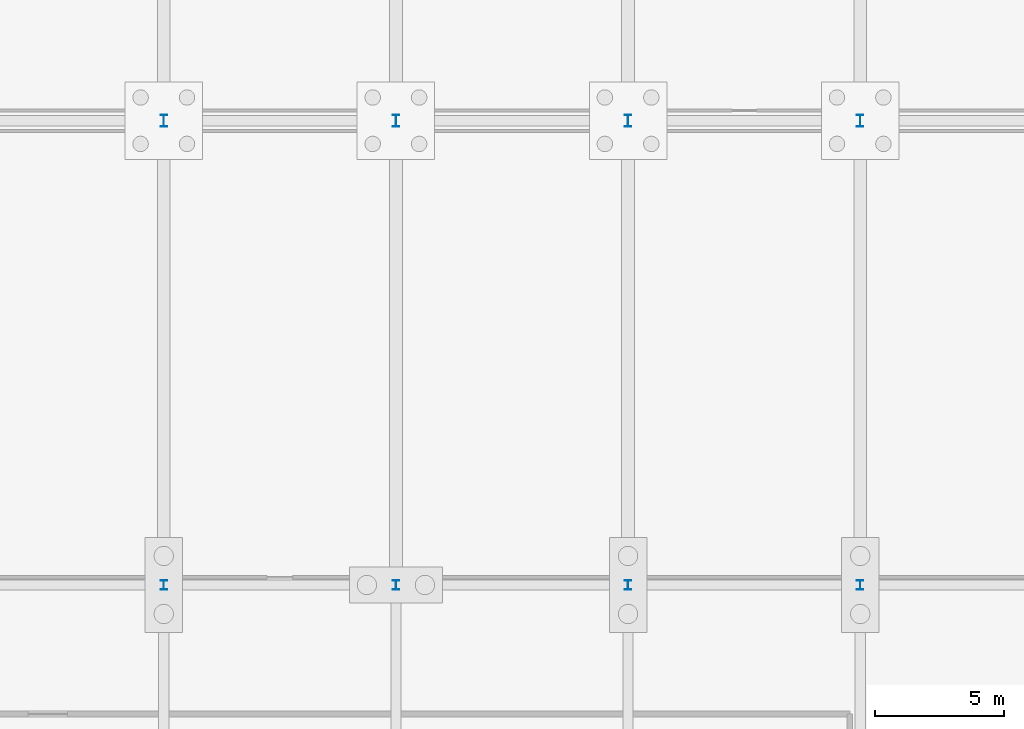
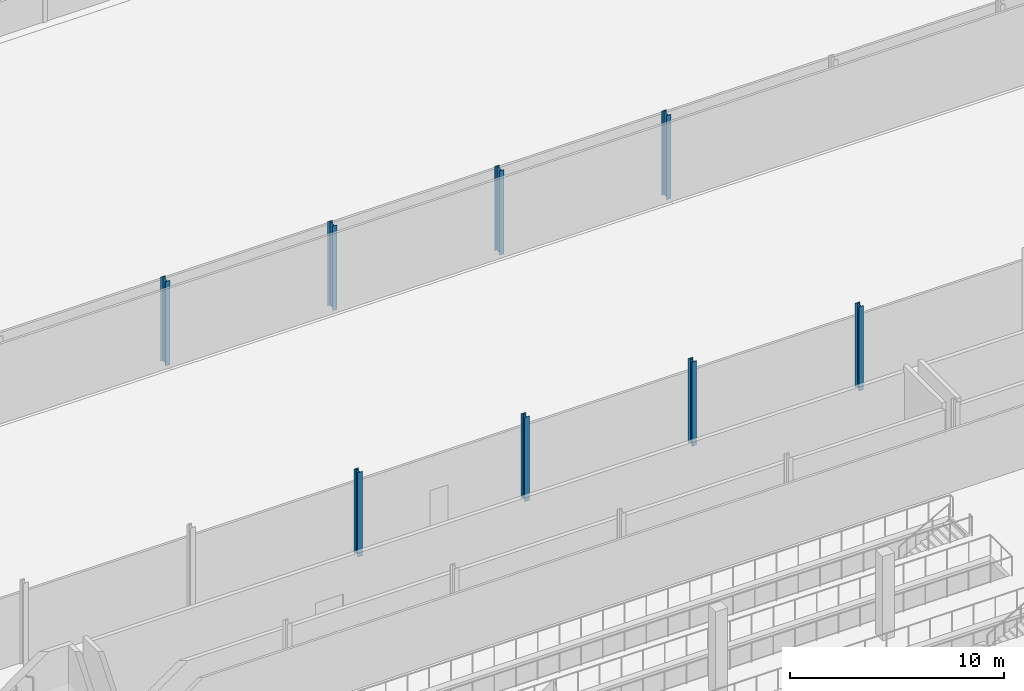
# One storey, part 24 of 112: 8 columns.
"""IFC4 building model written with IfcOpenShell, lengths in metres."""

from ifc_helpers import new_model, si_unit, direction, frame, origin, origin_2d, place, context, subcontext, project, spatial, i_section, extrude, material, material_profile, profile_set, type_object, element, save


model = new_model("IFC4")

# Units and contexts
model_context = context("Model", 3, precision=1e-05, world=origin(), true_north=direction((0.0, 1.0)))
body_context = subcontext(model_context, "Body", "Model", "MODEL_VIEW")
ifc_project = project(units=[si_unit("LENGTHUNIT", "METRE"), si_unit("AREAUNIT", "SQUARE_METRE"), si_unit("VOLUMEUNIT", "CUBIC_METRE"), si_unit("PLANEANGLEUNIT", "RADIAN"), si_unit("MASSUNIT", "GRAM", prefix="KILO")], contexts=[model_context])

# Site, building, storey
site_placement = place(None, origin())
site = spatial("IfcSite", under=ifc_project, at=site_placement, CompositionType="ELEMENT")
building_placement = place(site_placement, origin())
building = spatial("IfcBuilding", under=site, at=building_placement, Name="Tharagai Park Tramway Depot", CompositionType="ELEMENT")
storey_placement = place(building_placement, origin())
storey = spatial("IfcBuildingStorey", under=building, at=storey_placement, Name="L00", CompositionType="ELEMENT", Elevation=0.0)

# Columns
ifc_material = material(Name="Steel E350", Category="steel")
ifc_material_profile_1 = material_profile(ifc_material, i_section(OverallWidth=0.25, OverallDepth=0.449951171875, WebThickness=0.01123046875, FlangeThickness=0.013671875, FilletRadius=0.014892578125, at=origin_2d()), Name="ISHB 450")
ifc_profile_set_1 = profile_set([ifc_material_profile_1], Name="Steel E350")
column_type_1 = type_object("IfcColumnType", Name="CL-01", PredefinedType="COLUMN", material=ifc_profile_set_1)
for number, where, z_axis, x_axis, name in (
    (1, (27.0, 117.0, 0.0), (0.0, 0.0, 1.0), (1.0, 0.0, 0.0), "L00 Structural Column CL-01 (27,117)"),
    (2, (36.0, 117.0, 0.0), (0.0, 0.0, 1.0), (1.0, 0.0, 0.0), "L00 Structural Column CL-01 (36,117)"),
    (3, (45.0, 117.0, 0.0), (0.0, 0.0, 1.0), (1.0, 0.0, 0.0), "L00 Structural Column CL-01 (45,117)"),
    (4, (54.0, 117.0, 0.0), (0.0, 0.0, 1.0), (1.0, 0.0, 0.0), "L00 Structural Column CL-01 (54,117)"),
):
    element("IfcColumn", number, at=place(storey_placement, frame(where, z_axis=z_axis, x_axis=x_axis)), inside=storey, type_object=column_type_1, Name=name, PredefinedType="COLUMN", context=body_context, shape_type="SweptSolid", body=[
        extrude(i_section(OverallWidth=0.25, OverallDepth=0.449951171875, WebThickness=0.01123046875, FlangeThickness=0.013671875, FilletRadius=0.014892578125, at=origin_2d()), origin(), (0.0, 0.0, 1.0), 4.800048828125),
    ])
ifc_material_profile_2 = material_profile(ifc_material, i_section(OverallWidth=0.25, OverallDepth=0.35009765625, WebThickness=0.010009765625, FlangeThickness=0.01171875, FilletRadius=0.011962890625, at=origin_2d()), Name="ISHB 350")
ifc_profile_set_2 = profile_set([ifc_material_profile_2], Name="Steel E350")
column_type_2 = type_object("IfcColumnType", Name="CL-09", PredefinedType="COLUMN", material=ifc_profile_set_2)
for number, where, z_axis, x_axis, name in (
    (5, (27.0, 99.0, 0.0), (0.0, 0.0, 1.0), (1.0, 0.0, 0.0), "L00 Structural Column CL-09 (27,99)"),
    (6, (36.0, 99.0, 0.0), (0.0, 0.0, 1.0), (1.0, 0.0, 0.0), "L00 Structural Column CL-09 (36,99)"),
    (7, (45.0, 99.0, 0.0), (0.0, 0.0, 1.0), (1.0, 0.0, 0.0), "L00 Structural Column CL-09 (45,99)"),
    (8, (54.0, 99.0, 0.0), (0.0, 0.0, 1.0), (1.0, 0.0, 0.0), "L00 Structural Column CL-09 (54,99)"),
):
    element("IfcColumn", number, at=place(storey_placement, frame(where, z_axis=z_axis, x_axis=x_axis)), inside=storey, type_object=column_type_2, Name=name, PredefinedType="COLUMN", context=body_context, shape_type="SweptSolid", body=[
        extrude(i_section(OverallWidth=0.25, OverallDepth=0.35009765625, WebThickness=0.010009765625, FlangeThickness=0.01171875, FilletRadius=0.011962890625, at=origin_2d()), origin(), (0.0, 0.0, 1.0), 4.800048828125),
    ])

save(model, "model.ifc")
